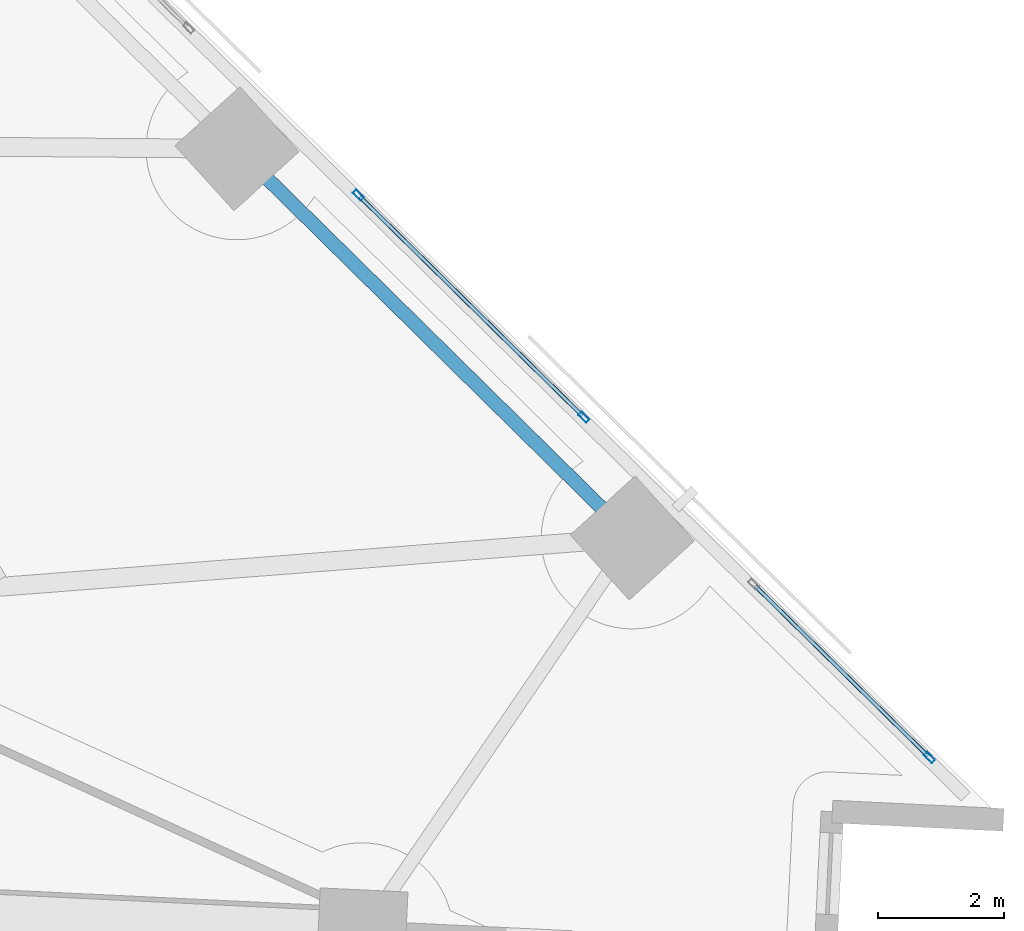
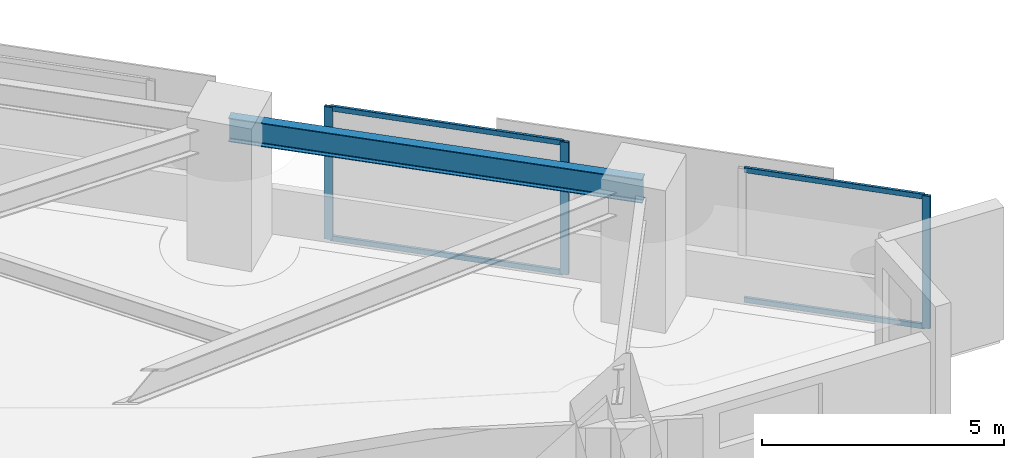
# One storey, part 5 of 18: 7 members, 1 beam, 2 elements without a shape of their own.
"""IFC4 building model written with IfcOpenShell, lengths in metres."""

import ifcopenshell
import ifcopenshell.guid

model = None  # the IFC model being written
_history = None  # IfcOwnerHistory: only IFC2X3 demands one
_inside = {}  # id of a spatial element -> (the spatial element, [elements in it])
_under = {}  # id of a project, library or spatial element -> (it, [spatial elements below it])
_declared = {}  # id of a project -> (the project, [libraries it declares])
_typed = {}  # id of a type object -> (the type object, [elements of that type])
_made_of = {}  # id of a material, layer set ... -> (it, [elements and type objects made of it])


def new_model(schema):
    """Start an empty IFC model of exactly this schema.

    Asked for "IFC4X3", IfcOpenShell would pick the latest addendum, in which some entities
    have other attributes; the version numbers below select the first issue.
    IFC2X3 requires an IfcOwnerHistory on every rooted entity: one is made here for all.
    """
    global model, _history
    if schema == "IFC4X3":
        model = ifcopenshell.file(schema_version=(4, 3, 0, 0))
    else:
        model = ifcopenshell.file(schema=schema)
    _inside.clear()
    _under.clear()
    _declared.clear()
    _typed.clear()
    _made_of.clear()
    _history = None
    if model.schema == "IFC2X3":
        org = make("IfcOrganization", Name="unknown")
        user = make(
            "IfcPersonAndOrganization",
            ThePerson=make("IfcPerson", FamilyName="unknown"),
            TheOrganization=org,
        )
        app = make(
            "IfcApplication",
            ApplicationDeveloper=org,
            Version="unknown",
            ApplicationFullName="unknown",
            ApplicationIdentifier="unknown",
        )
        _history = make(
            "IfcOwnerHistory",
            OwningUser=user,
            OwningApplication=app,
            ChangeAction="ADDED",
            CreationDate=0,
        )
    return model


def make(cls, **values):
    """One entity of the class cls with the attributes given. An attribute that is None is left unset."""
    return model.create_entity(
        cls, **{name: value for name, value in values.items() if value is not None}
    )


def rooted(cls, **values):
    """An entity with a GlobalId (a new one), such as an element, a storey or a relation."""
    return make(cls, GlobalId=ifcopenshell.guid.new(), OwnerHistory=_history, **values)


def si_unit(unit_type, name, prefix=None):
    """IfcSIUnit, for example si_unit("LENGTHUNIT", "METRE", prefix="MILLI")."""
    return make("IfcSIUnit", UnitType=unit_type, Prefix=prefix, Name=name)


def assignment(units):
    """IfcUnitAssignment: the units of a project."""
    return None if units is None else make("IfcUnitAssignment", Units=units)


def point(xyz):
    """IfcCartesianPoint."""
    return None if xyz is None else make("IfcCartesianPoint", Coordinates=xyz)


def direction(xyz):
    """IfcDirection."""
    return None if xyz is None else make("IfcDirection", DirectionRatios=xyz)


def frame(location, z_axis=None, x_axis=None):
    """IfcAxis2Placement3D, a coordinate frame: its origin and axes. An axis left out is left unset."""
    return make(
        "IfcAxis2Placement3D",
        Location=point(location),
        Axis=direction(z_axis),
        RefDirection=direction(x_axis),
    )


def frame_2d(location, x_axis=None):
    """IfcAxis2Placement2D, a coordinate frame in the plane: its origin and x axis."""
    return make(
        "IfcAxis2Placement2D", Location=point(location), RefDirection=direction(x_axis)
    )


def origin():
    """The frame at (0, 0, 0) with its axes left unset."""
    return frame((0.0, 0.0, 0.0))


def origin_2d():
    """The frame at (0, 0) in the plane with its x axis left unset."""
    return frame_2d((0.0, 0.0))


def place(relative_to, where):
    """IfcLocalPlacement: puts the frame where relative to a parent placement (None: the world)."""
    return make(
        "IfcLocalPlacement", PlacementRelTo=relative_to, RelativePlacement=where
    )


def context(
    kind, dimensions, precision=None, world=None, true_north=None, identifier=None
):
    """IfcGeometricRepresentationContext, for example the 3D "Model" context."""
    return make(
        "IfcGeometricRepresentationContext",
        ContextIdentifier=identifier,
        ContextType=kind,
        CoordinateSpaceDimension=dimensions,
        Precision=precision,
        WorldCoordinateSystem=world,
        TrueNorth=true_north,
    )


def subcontext(parent, identifier, kind, view, scale=None):
    """IfcGeometricRepresentationSubContext, for example "Body" below "Model"."""
    return make(
        "IfcGeometricRepresentationSubContext",
        ContextIdentifier=identifier,
        ContextType=kind,
        ParentContext=parent,
        TargetScale=scale,
        TargetView=view,
    )


def project(units=None, contexts=None):
    """IfcProject with its units and contexts."""
    return rooted(
        "IfcProject",
        Name="project",
        RepresentationContexts=contexts,
        UnitsInContext=assignment(units),
    )


def spatial(cls, under=None, at=None, **own):
    """A site, building, storey or space (cls), placed at a placement, below another one or the project."""
    s = rooted(cls, ObjectPlacement=at, **own)
    if under is not None:
        _under.setdefault(under.id(), (under, []))[1].append(s)
    return s


def profile(cls, at=None, kind="AREA", **sizes):
    """A parametric profile (cls). Its sizes go by their IFC names, for example OverallWidth=200.0."""
    return make(cls, ProfileType=kind, Position=at, **sizes)


def hollow_rectangle(**sizes):
    """IfcRectangleHollowProfileDef."""
    return profile("IfcRectangleHollowProfileDef", **sizes)


def i_section(**sizes):
    """IfcIShapeProfileDef."""
    return profile("IfcIShapeProfileDef", **sizes)


def extrude(swept, where, along, depth):
    """IfcExtrudedAreaSolid: the profile swept, set in the frame where, extruded along a direction by depth."""
    return make(
        "IfcExtrudedAreaSolid",
        SweptArea=swept,
        Position=where,
        ExtrudedDirection=direction(along),
        Depth=depth,
    )


def shape(context_of_items, identifier, shape_type, items):
    """IfcShapeRepresentation: the items that make up one representation, for example the "Body"."""
    return make(
        "IfcShapeRepresentation",
        ContextOfItems=context_of_items,
        RepresentationIdentifier=identifier,
        RepresentationType=shape_type,
        Items=items,
    )


def material(Name=None, Category=None):
    """IfcMaterial."""
    return make("IfcMaterial", Name=Name, Category=Category)


def material_profile(
    of_material, cross_section, Name=None, Category=None, Priority=None
):
    """IfcMaterialProfile: a cross section and its material."""
    return make(
        "IfcMaterialProfile",
        Name=Name,
        Material=of_material,
        Profile=cross_section,
        Priority=Priority,
        Category=Category,
    )


def profile_set(profiles, Name=None, composite=None):
    """IfcMaterialProfileSet."""
    return make(
        "IfcMaterialProfileSet",
        Name=Name,
        MaterialProfiles=profiles,
        CompositeProfile=composite,
    )


def made_of(thing, what):
    """Note that an element or type object is made of a material, layer set ...; save() writes the relation."""
    if what is not None:
        _made_of.setdefault(what.id(), (what, []))[1].append(thing)
    return thing


def type_object(cls, material=None, **own):
    """A type object (cls), such as IfcWallType, which elements share."""
    return made_of(rooted(cls, **own), material)


def element(
    cls,
    number,
    at=None,
    inside=None,
    cuts=None,
    type_object=None,
    material=None,
    context=None,
    identifier="Body",
    shape_type=None,
    held_by="IfcProductDefinitionShape",
    body=None,
    shapes=None,
    **own,
):
    """One element of the class cls, such as IfcWall. Its Tag is "e" and its number.

    at: its placement. inside: the storey or other place that contains it. cuts: it is an
    opening in that element (IfcRelVoidsElement). A single representation is given by context,
    identifier, shape_type and body (its items); several are given by shapes. held_by: the class
    of the entity that holds the representations. save() writes the other relations.
    """
    e = rooted(cls, Tag="e%d" % number, ObjectPlacement=at, **own)
    if body is not None:
        shapes = [shape(context, identifier, shape_type, body)]
    if shapes is not None:
        e.Representation = make(held_by, Representations=shapes)
    if inside is not None:
        _inside.setdefault(inside.id(), (inside, []))[1].append(e)
    if cuts is not None:
        rooted(
            "IfcRelVoidsElement", RelatingBuildingElement=cuts, RelatedOpeningElement=e
        )
    if type_object is not None:
        _typed.setdefault(type_object.id(), (type_object, []))[1].append(e)
    return made_of(e, material)


def aggregate(whole, parts):
    """IfcRelAggregates: a whole, such as a stair, and the parts it consists of."""
    return rooted("IfcRelAggregates", RelatingObject=whole, RelatedObjects=parts)


def save(model, path):
    """Write the relations noted so far, then the file.

    IfcRelAggregates (storeys below a building ...), IfcRelContainedInSpatialStructure (elements
    in a storey), IfcRelDefinesByType, IfcRelAssociatesMaterial and IfcRelDeclares: one each for
    every whole, place, type object, material and project.
    """
    for whole, parts in _under.values():
        aggregate(whole, parts)
    for where, things in _inside.values():
        rooted(
            "IfcRelContainedInSpatialStructure",
            RelatedElements=things,
            RelatingStructure=where,
        )
    for kind, things in _typed.values():
        rooted("IfcRelDefinesByType", RelatedObjects=things, RelatingType=kind)
    for what, things in _made_of.values():
        rooted("IfcRelAssociatesMaterial", RelatedObjects=things, RelatingMaterial=what)
    for by, libraries in _declared.values():
        rooted("IfcRelDeclares", RelatingContext=by, RelatedDefinitions=libraries)
    model.write(path)


model = new_model("IFC4")

# Units and contexts
model_context = context("Model", 3, precision=1e-05, world=origin(), true_north=direction((0.0, 1.0)))
body_context = subcontext(model_context, "Body", "Model", "MODEL_VIEW")
ifc_project = project(units=[si_unit("LENGTHUNIT", "METRE"), si_unit("AREAUNIT", "SQUARE_METRE"), si_unit("VOLUMEUNIT", "CUBIC_METRE"), si_unit("PLANEANGLEUNIT", "RADIAN"), si_unit("MASSUNIT", "GRAM", prefix="KILO")], contexts=[model_context])

# Site, building, storey
site_placement = place(None, origin())
site = spatial("IfcSite", under=ifc_project, at=site_placement, CompositionType="ELEMENT")
building_placement = place(site_placement, origin())
building = spatial("IfcBuilding", under=site, at=building_placement, Name="Narakoshi Arena Tower", CompositionType="ELEMENT")
storey_placement = place(building_placement, frame((0.0, 0.0, 44.699951171875)))
storey = spatial("IfcBuildingStorey", under=building, at=storey_placement, Name="L11", CompositionType="ELEMENT", Elevation=44.699951171875)

# Beam
ifc_material_1 = material(Name="Structural steel S355J2", Category="steel")
ifc_material_profile_1 = material_profile(ifc_material_1, i_section(OverallWidth=0.219970703125, OverallDepth=0.60009765625, WebThickness=0.011962890625, FlangeThickness=0.01904296875, FilletRadius=0.02392578125, at=origin_2d()), Name="IPE600")
ifc_profile_set_1 = profile_set([ifc_material_profile_1], Name="Structural steel S355J2")
beam_type = type_object("IfcBeamType", Name="BM-EDGE-600", PredefinedType="BEAM", material=ifc_profile_set_1)
beam_placement = place(storey_placement, frame((114.942138671875, 36.969970703125, 3.0400390625), z_axis=(-0.712540689328, 0.70163079041, 0.0), x_axis=(-0.70163079041, -0.712540689328, 0.0)))
element("IfcBeam", 1, at=beam_placement, inside=storey, type_object=beam_type, Name="L11 Perimeter Edge Girder 05", PredefinedType="BEAM", context=body_context, shape_type="SweptSolid", body=[
    extrude(i_section(OverallWidth=0.219970703125, OverallDepth=0.60009765625, WebThickness=0.011962890625, FlangeThickness=0.01904296875, FilletRadius=0.02392578125, at=origin_2d()), origin(), (0.0, 0.0, 1.0), 8.83935546875),
])

# Curtain wall, member
ifc_material_2 = material(Name="Anodised bronze aluminium 6063-T6", Category="aluminium")
curtain_wall_type = type_object("IfcCurtainWallType", Name="CW-HYP-LOW", PredefinedType="NOTDEFINED", material=ifc_material_2)
curtain_wall_1_placement = place(storey_placement, origin())
curtain_wall_1 = element("IfcCurtainWall", 2, at=curtain_wall_1_placement, inside=storey, type_object=curtain_wall_type, Name="L11 Folded Hypotenuse Curtain Wall 1-1", PredefinedType="NOTDEFINED")
ifc_material_profile_2 = material_profile(ifc_material_2, hollow_rectangle(XDim=0.074951171875, YDim=0.179931640625, WallThickness=0.00390625, OuterFilletRadius=0.0048828125, at=origin_2d()), Name="MUL180x75x4")
ifc_profile_set_2 = profile_set([ifc_material_profile_2], Name="Anodised bronze aluminium 6063-T6")
member_type_1 = type_object("IfcMemberType", Name="MEM-MUL-180", PredefinedType="MULLION", material=ifc_profile_set_2)
member_1_placement = place(storey_placement, frame((119.677734375, 33.471923828125, 0.0), z_axis=(0.0, 0.0, 1.0), x_axis=(-0.701630192894, -0.712541277695, 0.0)))
member_1 = element("IfcMember", 3, at=member_1_placement, type_object=member_type_1, Name="CW-01 mullion 1", PredefinedType="MULLION", context=body_context, shape_type="SweptSolid", body=[
    extrude(hollow_rectangle(XDim=0.074951171875, YDim=0.179931640625, WallThickness=0.00390625, OuterFilletRadius=0.0048828125, at=origin_2d()), origin(), (0.0, 0.0, 1.0), 3.340087890625),
])

# Curtain wall, members
curtain_wall_2_placement = place(storey_placement, origin())
curtain_wall_2 = element("IfcCurtainWall", 4, at=curtain_wall_2_placement, inside=storey, type_object=curtain_wall_type, Name="L11 Folded Hypotenuse Curtain Wall 1-2", PredefinedType="NOTDEFINED")
member_2_placement = place(storey_placement, frame((114.17138671875, 38.893798828125, 0.0), z_axis=(0.0, 0.0, 1.0), x_axis=(-0.701623031404, -0.712548329451, 0.0)))
member_2 = element("IfcMember", 5, at=member_2_placement, type_object=member_type_1, Name="CW-01 mullion 1", PredefinedType="MULLION", context=body_context, shape_type="SweptSolid", body=[
    extrude(hollow_rectangle(XDim=0.074951171875, YDim=0.179931640625, WallThickness=0.00390625, OuterFilletRadius=0.0048828125, at=origin_2d()), origin(), (0.0, 0.0, 1.0), 3.340087890625),
])
member_3_placement = place(storey_placement, frame((110.578857421875, 42.43115234375, 0.0), z_axis=(0.0, 0.0, 1.0), x_axis=(-0.701623031404, -0.712548329451, 0.0)))
member_3 = element("IfcMember", 6, at=member_3_placement, type_object=member_type_1, Name="CW-01 mullion 2", PredefinedType="MULLION", context=body_context, shape_type="SweptSolid", body=[
    extrude(hollow_rectangle(XDim=0.074951171875, YDim=0.179931640625, WallThickness=0.00390625, OuterFilletRadius=0.0048828125, at=origin_2d()), origin(), (0.0, 0.0, 1.0), 3.340087890625),
])

# Member
ifc_material_profile_3 = material_profile(ifc_material_2, hollow_rectangle(XDim=0.06494140625, YDim=0.1298828125, WallThickness=0.00390625, OuterFilletRadius=0.0048828125, at=origin_2d()), Name="TRN130x65x4")
ifc_profile_set_3 = profile_set([ifc_material_profile_3], Name="Anodised bronze aluminium 6063-T6")
member_type_2 = type_object("IfcMemberType", Name="MEM-TRN-130", PredefinedType="USERDEFINED", material=ifc_profile_set_3)
member_4_placement = place(storey_placement, frame((119.65087890625, 33.498046875, 0.032470703125), z_axis=(-0.712532234505, 0.701639376596, 0.0), x_axis=(-0.701639376596, -0.712532234505, 0.0)))
member_4 = element("IfcMember", 7, at=member_4_placement, type_object=member_type_2, Name="CW-01 transom 1.1", ObjectType="TRANSOM", PredefinedType="USERDEFINED", context=body_context, shape_type="SweptSolid", body=[
    extrude(hollow_rectangle(XDim=0.06494140625, YDim=0.1298828125, WallThickness=0.00390625, OuterFilletRadius=0.0048828125, at=origin_2d()), origin(), (0.0, 0.0, 1.0), 3.85498046875),
])

member_5_placement = place(storey_placement, frame((119.65087890625, 33.498046875, 3.3076171875), z_axis=(-0.712532234505, 0.701639376596, 0.0), x_axis=(-0.701639376596, -0.712532234505, 0.0)))
member_5 = element("IfcMember", 8, at=member_5_placement, type_object=member_type_2, Name="CW-01 transom 1.2", ObjectType="TRANSOM", PredefinedType="USERDEFINED", context=body_context, shape_type="SweptSolid", body=[
    extrude(hollow_rectangle(XDim=0.06494140625, YDim=0.1298828125, WallThickness=0.00390625, OuterFilletRadius=0.0048828125, at=origin_2d()), origin(), (0.0, 0.0, 1.0), 3.85498046875),
])

aggregate(curtain_wall_1, [member_1, member_4, member_5])

member_6_placement = place(storey_placement, frame((114.14453125, 38.920166015625, 0.032470703125), z_axis=(-0.712542243067, 0.701629212508, 0.0), x_axis=(-0.701629212508, -0.712542243067, 0.0)))
member_6 = element("IfcMember", 9, at=member_6_placement, type_object=member_type_2, Name="CW-01 transom 1.1", ObjectType="TRANSOM", PredefinedType="USERDEFINED", context=body_context, shape_type="SweptSolid", body=[
    extrude(hollow_rectangle(XDim=0.06494140625, YDim=0.1298828125, WallThickness=0.00390625, OuterFilletRadius=0.0048828125, at=origin_2d()), origin(), (0.0, 0.0, 1.0), 4.966552734375),
])

member_7_placement = place(storey_placement, frame((114.14453125, 38.920166015625, 3.3076171875), z_axis=(-0.712542243067, 0.701629212508, 0.0), x_axis=(-0.701629212508, -0.712542243067, 0.0)))
member_7 = element("IfcMember", 10, at=member_7_placement, type_object=member_type_2, Name="CW-01 transom 1.2", ObjectType="TRANSOM", PredefinedType="USERDEFINED", context=body_context, shape_type="SweptSolid", body=[
    extrude(hollow_rectangle(XDim=0.06494140625, YDim=0.1298828125, WallThickness=0.00390625, OuterFilletRadius=0.0048828125, at=origin_2d()), origin(), (0.0, 0.0, 1.0), 4.966552734375),
])

aggregate(curtain_wall_2, [member_2, member_3, member_6, member_7])

save(model, "model.ifc")
